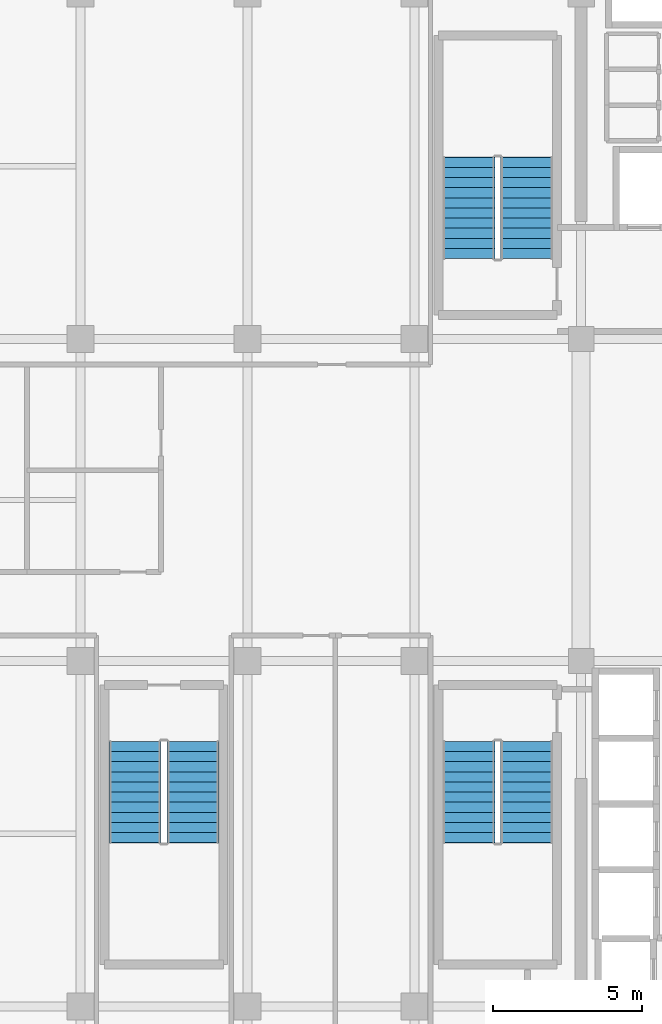
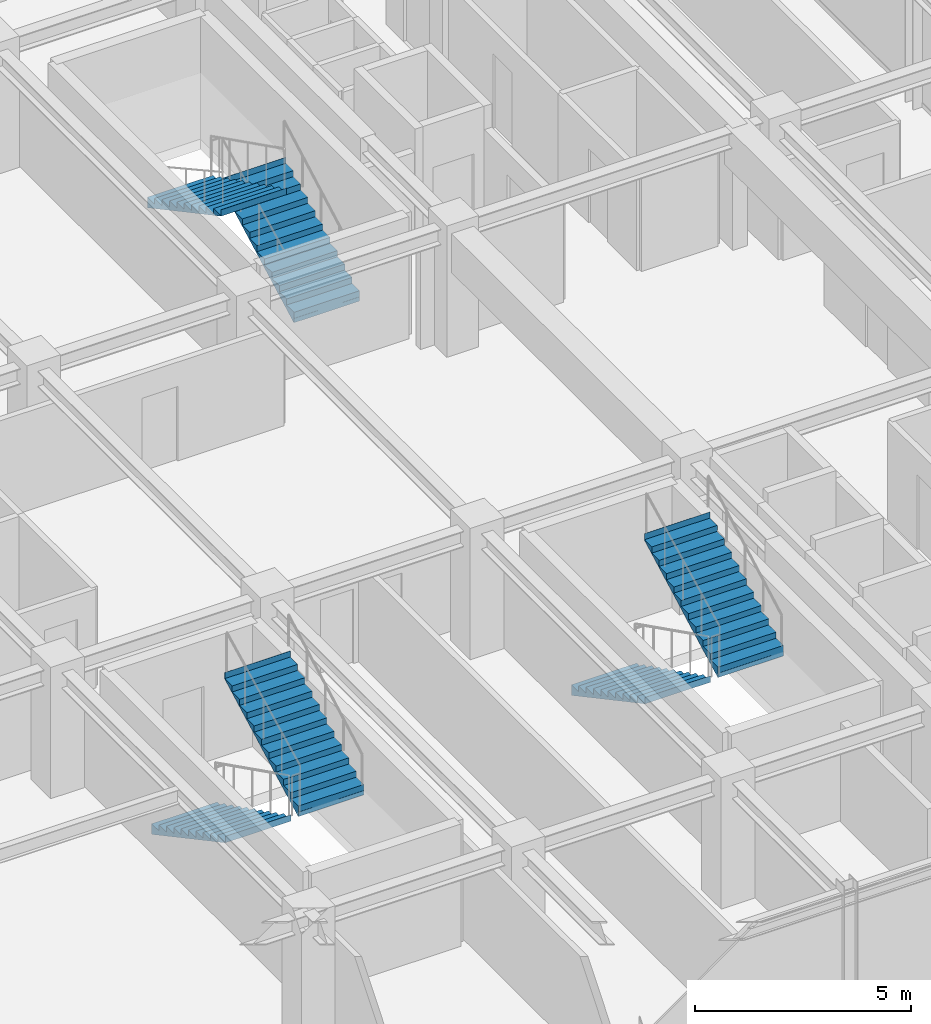
# One storey, part 27 of 31: 6 stair flights, 3 elements without a shape of their own.
"""IFC4 building model written with IfcOpenShell, lengths in metres."""

from ifc_helpers import new_model, si_unit, direction, frame, origin, place, context, subcontext, project, spatial, polyline, outline, extrude, source, transform, mapped, material, layer, layer_set, type_object, element, aggregate, save


model = new_model("IFC4")

# Units and contexts
model_context = context("Model", 3, precision=1e-05, world=origin(), true_north=direction((0.0, 1.0)))
body_context = subcontext(model_context, "Body", "Model", "MODEL_VIEW")
ifc_project = project(units=[si_unit("LENGTHUNIT", "METRE"), si_unit("AREAUNIT", "SQUARE_METRE"), si_unit("VOLUMEUNIT", "CUBIC_METRE"), si_unit("PLANEANGLEUNIT", "RADIAN"), si_unit("MASSUNIT", "GRAM", prefix="KILO")], contexts=[model_context])

# Site, building, storey
site_placement = place(None, origin())
site = spatial("IfcSite", under=ifc_project, at=site_placement, CompositionType="ELEMENT")
building_placement = place(site_placement, origin())
building = spatial("IfcBuilding", under=site, at=building_placement, Name="Nahalor Promenade Grand Hotel", CompositionType="ELEMENT")
storey_placement = place(building_placement, frame((0.0, 0.0, 281.300048828125)))
storey = spatial("IfcBuildingStorey", under=building, at=storey_placement, Name="L72", CompositionType="ELEMENT", Elevation=281.300048828125)

# Stair, stair flights
ifc_material = material(Name="Concrete B-50 (C40/50)", Category="concrete")
stair_type_1 = type_object("IfcStairType", Name="Stair-ST1", PredefinedType="HALF_TURN_STAIR", material=ifc_material)
stair_1_placement = place(storey_placement, origin())
stair_1 = element("IfcStair", 1, at=stair_1_placement, inside=storey, type_object=stair_type_1, Name="L72 ST1", PredefinedType="HALF_TURN_STAIR")
ifc_layer_1 = layer(ifc_material, 0.179931640625)
ifc_layer_set_1 = layer_set([ifc_layer_1], Name="Concrete B-50 (C40/50)")
stair_flight_type_1 = type_object("IfcStairFlightType", Name="Flight-ST1", PredefinedType="STRAIGHT", material=ifc_layer_set_1)
shared_shape_1 = source(origin(), body_context, "Body", "SweptSolid", [
    extrude(outline(polyline([(-0.00390625, -0.1201171875), (-0.00390625, 0.0), (0.0, 0.0), (0.0, 0.17041015625), (0.340087890625, 0.17041015625), (0.340087890625, 0.3408203125), (0.679931640625, 0.3408203125), (0.679931640625, 0.511474609375), (1.02001953125, 0.511474609375), (1.02001953125, 0.681884765625), (1.360107421875, 0.681884765625), (1.360107421875, 0.852294921875), (1.699951171875, 0.852294921875), (1.699951171875, 1.022705078125), (2.0400390625, 1.022705078125), (2.0400390625, 1.193115234375), (2.3798828125, 1.193115234375), (2.3798828125, 1.363525390625), (2.719970703125, 1.363525390625), (2.719970703125, 1.5341796875), (3.06005859375, 1.5341796875), (3.06005859375, 1.70458984375), (3.39990234375, 1.70458984375), (3.39990234375, 1.875), (3.404052734375, 1.875), (3.404052734375, 1.695068359375), (0.02001953125, -0.1201171875), (-0.00390625, -0.1201171875)])), frame((0.0, 0.875, 0.0), z_axis=(0.0, -1.0, 0.0), x_axis=(1.0, 0.0, 0.0)), (0.0, 0.0, 1.0), 1.75),
])
stair_flight_1_placement = place(storey_placement, frame((6.574951171875, 8.10009765625, 0.0), z_axis=(0.0, 0.0, 1.0), x_axis=(0.0, 1.0, 0.0)))
stair_flight_1 = element("IfcStairFlight", 2, at=stair_flight_1_placement, type_object=stair_flight_type_1, Name="ST1 flight 1", NumberOfRisers=11, NumberOfTreads=10, PredefinedType="STRAIGHT", RiserHeight=0.170454545, TreadLength=0.34, context=body_context, shape_type="MappedRepresentation", body=[
    mapped(shared_shape_1, transform((0.0, 0.0, 0.0), scale=1.0)),
])
stair_flight_2_placement = place(storey_placement, frame((4.625, 11.5, 1.875), z_axis=(0.0, 0.0, 1.0), x_axis=(0.0, -1.0, 0.0)))
stair_flight_2 = element("IfcStairFlight", 3, at=stair_flight_2_placement, type_object=stair_flight_type_1, Name="ST1 flight 2", NumberOfRisers=11, NumberOfTreads=10, PredefinedType="STRAIGHT", RiserHeight=0.170454545, TreadLength=0.34, context=body_context, shape_type="MappedRepresentation", body=[
    mapped(shared_shape_1, transform((0.0, 0.0, 0.0), scale=1.0)),
])
aggregate(stair_1, [stair_flight_1, stair_flight_2])

stair_type_2 = type_object("IfcStairType", Name="Stair-ST2", PredefinedType="HALF_TURN_STAIR", material=ifc_material)
stair_2_placement = place(storey_placement, origin())
stair_2 = element("IfcStair", 4, at=stair_2_placement, inside=storey, type_object=stair_type_2, Name="L72 ST2", PredefinedType="HALF_TURN_STAIR")
ifc_layer_2 = layer(ifc_material, 0.18994140625)
ifc_layer_set_2 = layer_set([ifc_layer_2], Name="Concrete B-50 (C40/50)")
stair_flight_type_2 = type_object("IfcStairFlightType", Name="Flight-ST2", PredefinedType="STRAIGHT", material=ifc_layer_set_2)
shared_shape_2 = source(origin(), body_context, "Body", "SweptSolid", [
    extrude(outline(polyline([(-0.00390625, -0.1201171875), (-0.00390625, 0.0), (0.0, 0.0), (0.0, 0.17041015625), (0.340087890625, 0.17041015625), (0.340087890625, 0.3408203125), (0.679931640625, 0.3408203125), (0.679931640625, 0.511474609375), (1.02001953125, 0.511474609375), (1.02001953125, 0.681884765625), (1.360107421875, 0.681884765625), (1.360107421875, 0.852294921875), (1.699951171875, 0.852294921875), (1.699951171875, 1.022705078125), (2.0400390625, 1.022705078125), (2.0400390625, 1.193115234375), (2.3798828125, 1.193115234375), (2.3798828125, 1.363525390625), (2.719970703125, 1.363525390625), (2.719970703125, 1.5341796875), (3.06005859375, 1.5341796875), (3.06005859375, 1.70458984375), (3.39990234375, 1.70458984375), (3.39990234375, 1.875), (3.404052734375, 1.875), (3.404052734375, 1.695068359375), (0.02001953125, -0.1201171875), (-0.00390625, -0.1201171875)])), frame((0.0, 0.875, 0.0), z_axis=(0.0, -1.0, 0.0), x_axis=(1.0, 0.0, 0.0)), (0.0, 0.0, 1.0), 1.75),
])
stair_flight_3_placement = place(storey_placement, frame((4.625, -8.10009765625, 0.0), z_axis=(0.0, 0.0, 1.0), x_axis=(0.0, -1.0, 0.0)))
stair_flight_3 = element("IfcStairFlight", 5, at=stair_flight_3_placement, type_object=stair_flight_type_2, Name="ST2 flight 1", NumberOfRisers=11, NumberOfTreads=10, PredefinedType="STRAIGHT", RiserHeight=0.170454545, TreadLength=0.34, context=body_context, shape_type="MappedRepresentation", body=[
    mapped(shared_shape_2, transform((0.0, 0.0, 0.0), scale=1.0)),
])
stair_flight_4_placement = place(storey_placement, frame((6.574951171875, -11.5, 1.875), z_axis=(0.0, 0.0, 1.0), x_axis=(0.0, 1.0, 0.0)))
stair_flight_4 = element("IfcStairFlight", 6, at=stair_flight_4_placement, type_object=stair_flight_type_2, Name="ST2 flight 2", NumberOfRisers=11, NumberOfTreads=10, PredefinedType="STRAIGHT", RiserHeight=0.170454545, TreadLength=0.34, context=body_context, shape_type="MappedRepresentation", body=[
    mapped(shared_shape_2, transform((0.0, 0.0, 0.0), scale=1.0)),
])
aggregate(stair_2, [stair_flight_3, stair_flight_4])

stair_type_3 = type_object("IfcStairType", Name="Stair-ST3", PredefinedType="HALF_TURN_STAIR", material=ifc_material)
stair_3_placement = place(storey_placement, origin())
stair_3 = element("IfcStair", 7, at=stair_3_placement, inside=storey, type_object=stair_type_3, Name="L72 ST3", PredefinedType="HALF_TURN_STAIR")
ifc_layer_3 = layer(ifc_material, 0.199951171875)
ifc_layer_set_3 = layer_set([ifc_layer_3], Name="Concrete B-50 (C40/50)")
stair_flight_type_3 = type_object("IfcStairFlightType", Name="Flight-ST3", PredefinedType="STRAIGHT", material=ifc_layer_set_3)
shared_shape_3 = source(origin(), body_context, "Body", "SweptSolid", [
    extrude(outline(polyline([(-0.00390625, -0.1201171875), (-0.00390625, 0.0), (0.0, 0.0), (0.0, 0.17041015625), (0.340087890625, 0.17041015625), (0.340087890625, 0.3408203125), (0.679931640625, 0.3408203125), (0.679931640625, 0.511474609375), (1.02001953125, 0.511474609375), (1.02001953125, 0.681884765625), (1.360107421875, 0.681884765625), (1.360107421875, 0.852294921875), (1.699951171875, 0.852294921875), (1.699951171875, 1.022705078125), (2.0400390625, 1.022705078125), (2.0400390625, 1.193115234375), (2.3798828125, 1.193115234375), (2.3798828125, 1.363525390625), (2.719970703125, 1.363525390625), (2.719970703125, 1.5341796875), (3.06005859375, 1.5341796875), (3.06005859375, 1.70458984375), (3.39990234375, 1.70458984375), (3.39990234375, 1.875), (3.404052734375, 1.875), (3.404052734375, 1.695068359375), (0.02001953125, -0.1201171875), (-0.00390625, -0.1201171875)])), frame((0.0, 0.875, 0.0), z_axis=(0.0, -1.0, 0.0), x_axis=(1.0, 0.0, 0.0)), (0.0, 0.0, 1.0), 1.75),
])
stair_flight_5_placement = place(storey_placement, frame((-6.574951171875, -8.10009765625, 0.0), z_axis=(0.0, 0.0, 1.0), x_axis=(0.0, -1.0, 0.0)))
stair_flight_5 = element("IfcStairFlight", 8, at=stair_flight_5_placement, type_object=stair_flight_type_3, Name="ST3 flight 1", NumberOfRisers=11, NumberOfTreads=10, PredefinedType="STRAIGHT", RiserHeight=0.170454545, TreadLength=0.34, context=body_context, shape_type="MappedRepresentation", body=[
    mapped(shared_shape_3, transform((0.0, 0.0, 0.0), scale=1.0)),
])
stair_flight_6_placement = place(storey_placement, frame((-4.625, -11.5, 1.875), z_axis=(0.0, 0.0, 1.0), x_axis=(0.0, 1.0, 0.0)))
stair_flight_6 = element("IfcStairFlight", 9, at=stair_flight_6_placement, type_object=stair_flight_type_3, Name="ST3 flight 2", NumberOfRisers=11, NumberOfTreads=10, PredefinedType="STRAIGHT", RiserHeight=0.170454545, TreadLength=0.34, context=body_context, shape_type="MappedRepresentation", body=[
    mapped(shared_shape_3, transform((0.0, 0.0, 0.0), scale=1.0)),
])
aggregate(stair_3, [stair_flight_5, stair_flight_6])

save(model, "model.ifc")
